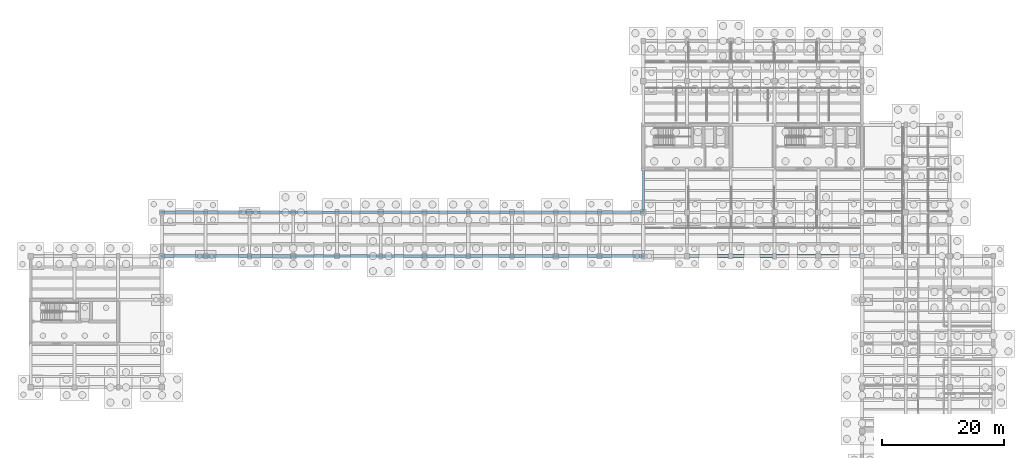
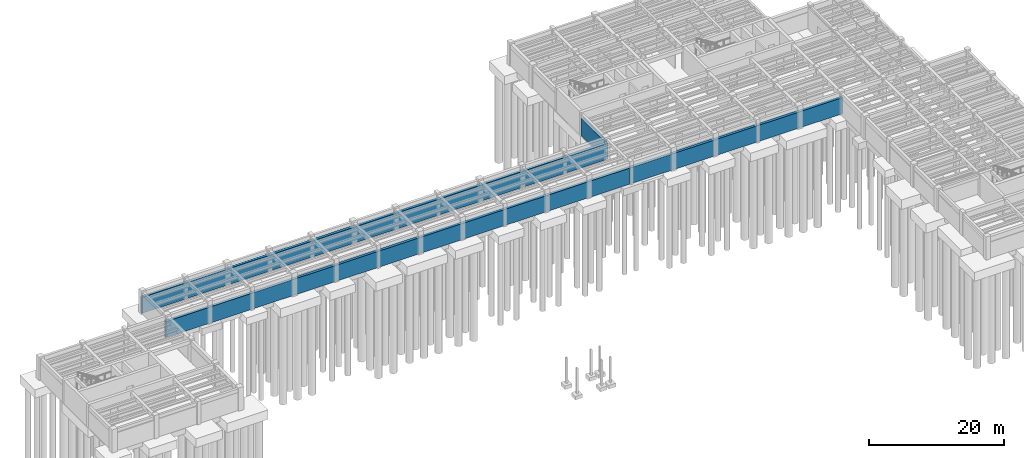
# One storey, part 12 of 22: 4 walls.
"""IFC4 building model written with IfcOpenShell, lengths in metres."""

from ifc_helpers import new_model, si_unit, direction, frame, frame_2d, origin, place, context, subcontext, project, spatial, rectangle, extrude, material, layer, layer_set, type_object, element, save


model = new_model("IFC4")

# Units and contexts
model_context = context("Model", 3, precision=1e-05, world=origin(), true_north=direction((0.0, 1.0)))
body_context = subcontext(model_context, "Body", "Model", "MODEL_VIEW")
ifc_project = project(units=[si_unit("LENGTHUNIT", "METRE"), si_unit("AREAUNIT", "SQUARE_METRE"), si_unit("VOLUMEUNIT", "CUBIC_METRE"), si_unit("PLANEANGLEUNIT", "RADIAN"), si_unit("MASSUNIT", "GRAM", prefix="KILO")], contexts=[model_context])

# Site, building, storey
site_placement = place(None, origin())
site = spatial("IfcSite", under=ifc_project, at=site_placement, CompositionType="ELEMENT")
building_placement = place(site_placement, origin())
building = spatial("IfcBuilding", under=site, at=building_placement, Name="Mithqara Police Headquarters", CompositionType="ELEMENT")
storey_placement = place(building_placement, frame((0.0, 0.0, -8.39990234375)))
storey = spatial("IfcBuildingStorey", under=building, at=storey_placement, Name="B2", CompositionType="ELEMENT", Elevation=-8.39990234375)

# Walls
ifc_material = material(Name="Concrete C40/50", Category="concrete")
ifc_layer = layer(ifc_material, 0.4599609375, Name="Concrete C40/50")
ifc_layer_set = layer_set([ifc_layer], Name="Concrete C40/50")
wall_type = type_object("IfcWallType", Name="RETAINING WALL 460", PredefinedType="USERDEFINED", material=ifc_layer_set)
wall_1_placement = place(storey_placement, frame((144.830078125, 78.60009765625, 0.0), z_axis=(0.0, 0.0, 1.0), x_axis=(-1.0, 0.0, 0.0)))
element("IfcWall", 1, at=wall_1_placement, inside=storey, type_object=wall_type, Name="B2 Perimeter Retaining Wall 1", ObjectType="RETAININGWALL", PredefinedType="USERDEFINED", context=body_context, shape_type="SweptSolid", body=[
    extrude(rectangle(XDim=36.4599609375, YDim=0.4599609375, at=frame_2d((18.22998046875, 0.0))), origin(), (0.0, 0.0, 1.0), 2.89990234375),
])
for number, where, z_axis, x_axis, name in (
    (2, (108.830078125, 78.60009765625, 0.0), (0.0, 0.0, 1.0), (-1.0, 0.0, 0.0), "B2 Perimeter Retaining Wall 2"),
    (3, (29.169921875, 85.800048828125, 0.0), (0.0, 0.0, 1.0), (1.0, 0.0, 0.0), "B2 Perimeter Retaining Wall 4"),
):
    element("IfcWall", number, at=place(storey_placement, frame(where, z_axis=z_axis, x_axis=x_axis)), inside=storey, type_object=wall_type, Name=name, ObjectType="RETAININGWALL", PredefinedType="USERDEFINED", context=body_context, shape_type="SweptSolid", body=[
        extrude(rectangle(XDim=79.66015625, YDim=0.4599609375, at=frame_2d((39.830078125, 0.0))), origin(), (0.0, 0.0, 1.0), 2.89990234375),
    ])
wall_2_placement = place(storey_placement, frame((108.60009765625, 86.02001953125, 0.0), z_axis=(0.0, 0.0, 1.0), x_axis=(0.0, 1.0, 0.0)))
element("IfcWall", 4, at=wall_2_placement, inside=storey, type_object=wall_type, Name="B2 Perimeter Retaining Wall 5", ObjectType="RETAININGWALL", PredefinedType="USERDEFINED", context=body_context, shape_type="SweptSolid", body=[
    extrude(rectangle(XDim=6.75, YDim=0.4599609375, at=frame_2d((3.375, 0.0))), origin(), (0.0, 0.0, 1.0), 3.14990234375),
])

save(model, "model.ifc")
